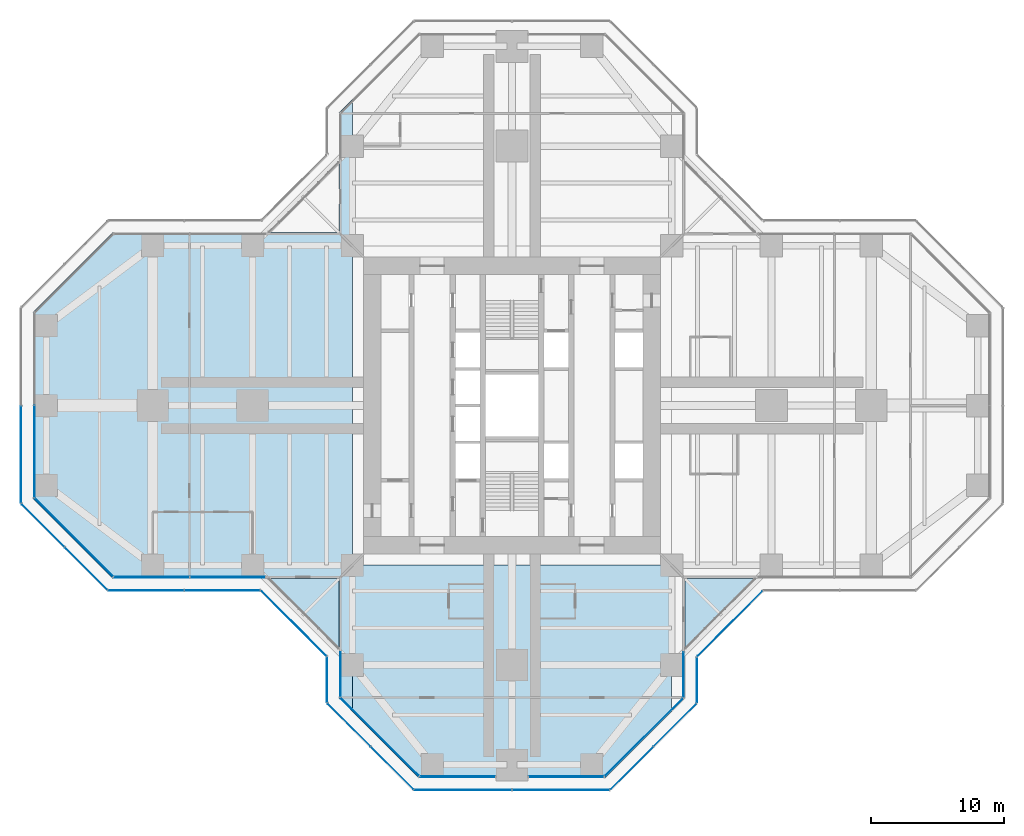
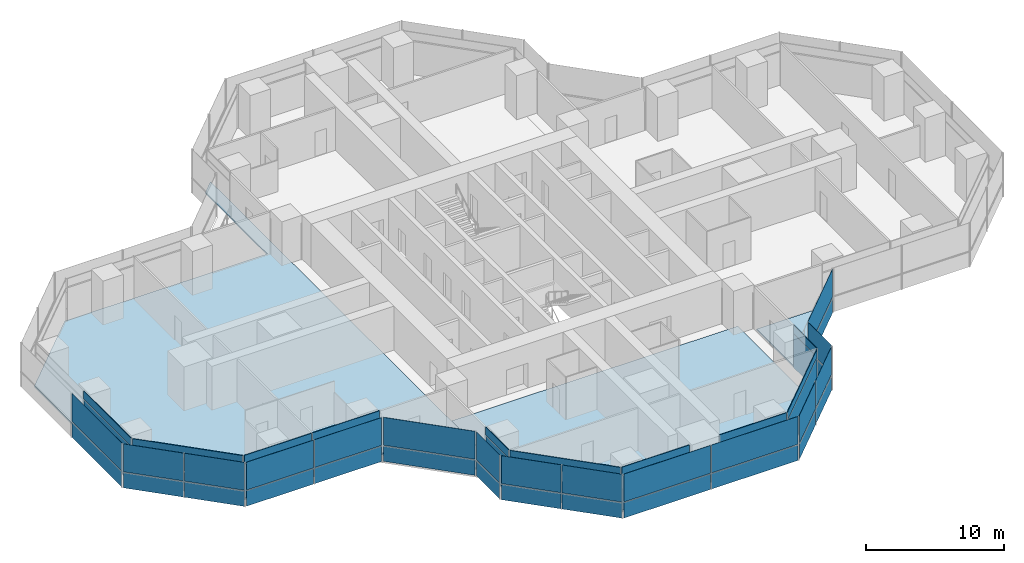
# One storey, part 12 of 19: 50 plates, 4 slabs, 19 elements without a shape of their own.
"""IFC4 building model written with IfcOpenShell, lengths in metres."""

from ifc_helpers import new_model, si_unit, direction, frame, origin, origin_2d, place, context, subcontext, project, spatial, polyline, rectangle, outline, extrude, material, layer, layer_set, type_object, element, aggregate, save


model = new_model("IFC4")

# Units and contexts
model_context = context("Model", 3, precision=1e-05, world=origin(), true_north=direction((0.0, 1.0)))
body_context = subcontext(model_context, "Body", "Model", "MODEL_VIEW")
ifc_project = project(units=[si_unit("LENGTHUNIT", "METRE"), si_unit("AREAUNIT", "SQUARE_METRE"), si_unit("VOLUMEUNIT", "CUBIC_METRE"), si_unit("PLANEANGLEUNIT", "RADIAN"), si_unit("MASSUNIT", "GRAM", prefix="KILO")], contexts=[model_context])

# Site, building, storey
site_placement = place(None, origin())
site = spatial("IfcSite", under=ifc_project, at=site_placement, CompositionType="ELEMENT")
building_placement = place(site_placement, origin())
building = spatial("IfcBuilding", under=site, at=building_placement, Name="Mizan Broadcast Tower", CompositionType="ELEMENT")
storey_placement = place(building_placement, frame((0.0, 0.0, 182.699951171875)))
storey = spatial("IfcBuildingStorey", under=building, at=storey_placement, Name="L42", CompositionType="ELEMENT", Elevation=182.699951171875)

# Slabs
ifc_material_1 = material(Name="Concrete C32/40", Category="concrete")
ifc_layer_1 = layer(ifc_material_1, 0.1298828125)
ifc_layer_set_1 = layer_set([ifc_layer_1], Name="Concrete C32/40")
slab_type_1 = type_object("IfcSlabType", Name="COMPOSITE DECK SLAB 130", PredefinedType="FLOOR", material=ifc_layer_set_1)
slab_1_placement = place(storey_placement, frame((0.0, 0.0, -0.1298828125)))
element("IfcSlab", 1, at=slab_1_placement, inside=storey, type_object=slab_type_1, Name="Floor slab L42 west arm", PredefinedType="FLOOR", context=body_context, shape_type="SweptSolid", body=[
    extrude(outline(polyline([(-13.0, -22.0), (-12.0, -23.0), (-12.0, 23.0), (-13.0, 22.0), (-13.0, 13.0), (-30.0, 13.0), (-36.0, 7.0), (-36.0, -7.0), (-30.0, -13.0), (-13.0, -13.0), (-13.0, -22.0)])), origin(), (0.0, 0.0, 1.0), 0.1298828125),
])
slab_2_placement = place(storey_placement, frame((0.0, 0.0, -0.1298828125)))
element("IfcSlab", 2, at=slab_2_placement, inside=storey, type_object=slab_type_1, Name="Floor slab L42 south arm", PredefinedType="FLOOR", context=body_context, shape_type="SweptSolid", body=[
    extrude(outline(polyline([(7.0, -28.0), (12.0, -23.0), (12.0, -12.0), (-12.0, -12.0), (-12.0, -23.0), (-7.0, -28.0), (7.0, -28.0)])), origin(), (0.0, 0.0, 1.0), 0.1298828125),
])

# Curtain wall, plate
ifc_material_2 = material(Name="Aluminium framed glazing", Category="aluminium")
curtain_wall_type_1 = type_object("IfcCurtainWallType", Name="INNER SKIN MID ZONE", PredefinedType="USERDEFINED", material=ifc_material_2)
curtain_wall_1_placement = place(storey_placement, origin())
curtain_wall_1 = element("IfcCurtainWall", 3, at=curtain_wall_1_placement, inside=storey, type_object=curtain_wall_type_1, Name="Inner skin mid zone L42 W end", ObjectType="INNER SKIN MID ZONE", PredefinedType="USERDEFINED")
ifc_material_3 = material(Name="Double glazing, clear low-e", Category="glass")
ifc_layer_2 = layer(ifc_material_3, 0.028076171875)
ifc_layer_set_2 = layer_set([ifc_layer_2], Name="Double glazing, clear low-e")
plate_type_1 = type_object("IfcPlateType", Name="INNER SKIN GLAZING UNIT", PredefinedType="CURTAIN_PANEL", material=ifc_layer_set_2)
plate_1_placement = place(storey_placement, frame((-35.89990234375, -3.46435546875, 0.0), z_axis=(0.0, 0.0, 1.0), x_axis=(0.0, -1.0, 0.0)))
plate_1 = element("IfcPlate", 4, at=plate_1_placement, type_object=plate_type_1, Name="Inner skin mid zone L42 W end panel 2.1", PredefinedType="CURTAIN_PANEL", context=body_context, shape_type="SweptSolid", body=[
    extrude(rectangle(XDim=6.86865234375, YDim=0.028076171875, at=origin_2d()), origin(), (0.0, 0.0, 1.0), 3.0),
])

curtain_wall_2_placement = place(storey_placement, origin())
curtain_wall_2 = element("IfcCurtainWall", 5, at=curtain_wall_2_placement, inside=storey, type_object=curtain_wall_type_1, Name="Inner skin mid zone L42 W chamfer", ObjectType="INNER SKIN MID ZONE", PredefinedType="USERDEFINED")
plate_2_placement = place(storey_placement, frame((-32.92919921875, -9.92919921875, 0.0), z_axis=(0.0, 0.0, 1.0), x_axis=(0.707106781187, -0.707106781187, 0.0)))
plate_2 = element("IfcPlate", 6, at=plate_2_placement, type_object=plate_type_1, Name="Inner skin mid zone L42 W chamfer panel 1.1", PredefinedType="CURTAIN_PANEL", context=body_context, shape_type="SweptSolid", body=[
    extrude(rectangle(XDim=8.282470703125, YDim=0.028076171875, at=origin_2d()), origin(), (0.0, 0.0, 1.0), 3.0),
])

# Curtain wall, plates
curtain_wall_3_placement = place(storey_placement, origin())
curtain_wall_3 = element("IfcCurtainWall", 7, at=curtain_wall_3_placement, inside=storey, type_object=curtain_wall_type_1, Name="Inner skin mid zone L42 W side", ObjectType="INNER SKIN MID ZONE", PredefinedType="USERDEFINED")
plate_3_placement = place(storey_placement, frame((-27.078857421875, -12.89990234375, 0.0), z_axis=(0.0, 0.0, 1.0), x_axis=(1.0, 0.0, 0.0)))
plate_3 = element("IfcPlate", 8, at=plate_3_placement, type_object=plate_type_1, Name="Inner skin mid zone L42 W side panel 1.1", PredefinedType="CURTAIN_PANEL", context=body_context, shape_type="SweptSolid", body=[
    extrude(rectangle(XDim=5.639404296875, YDim=0.028076171875, at=origin_2d()), origin(), (0.0, 0.0, 1.0), 3.0),
])
plate_4_placement = place(storey_placement, frame((-21.379638671875, -12.89990234375, 0.0), z_axis=(0.0, 0.0, 1.0), x_axis=(1.0, 0.0, 0.0)))
plate_4 = element("IfcPlate", 9, at=plate_4_placement, type_object=plate_type_1, Name="Inner skin mid zone L42 W side panel 2.1", PredefinedType="CURTAIN_PANEL", context=body_context, shape_type="SweptSolid", body=[
    extrude(rectangle(XDim=5.639404296875, YDim=0.028076171875, at=origin_2d()), origin(), (0.0, 0.0, 1.0), 3.0),
])

# Curtain wall, plate
curtain_wall_4_placement = place(storey_placement, origin())
curtain_wall_4 = element("IfcCurtainWall", 10, at=curtain_wall_4_placement, inside=storey, type_object=curtain_wall_type_1, Name="Inner skin mid zone L42 S side", ObjectType="INNER SKIN MID ZONE", PredefinedType="USERDEFINED")
plate_5_placement = place(storey_placement, frame((-12.89990234375, -20.229248046875, 0.0), z_axis=(0.0, 0.0, 1.0), x_axis=(0.0, -1.0, 0.0)))
plate_5 = element("IfcPlate", 11, at=plate_5_placement, type_object=plate_type_1, Name="Inner skin mid zone L42 S side panel 1.1", PredefinedType="CURTAIN_PANEL", context=body_context, shape_type="SweptSolid", body=[
    extrude(rectangle(XDim=3.338623046875, YDim=0.028076171875, at=origin_2d()), origin(), (0.0, 0.0, 1.0), 3.0),
])

curtain_wall_5_placement = place(storey_placement, origin())
curtain_wall_5 = element("IfcCurtainWall", 12, at=curtain_wall_5_placement, inside=storey, type_object=curtain_wall_type_1, Name="Inner skin mid zone L42 S chamfer", ObjectType="INNER SKIN MID ZONE", PredefinedType="USERDEFINED")
plate_6_placement = place(storey_placement, frame((-9.92919921875, -24.92919921875, 0.0), z_axis=(0.0, 0.0, 1.0), x_axis=(0.707106781187, -0.707106781187, 0.0)))
plate_6 = element("IfcPlate", 13, at=plate_6_placement, type_object=plate_type_1, Name="Inner skin mid zone L42 S chamfer panel 1.1", PredefinedType="CURTAIN_PANEL", context=body_context, shape_type="SweptSolid", body=[
    extrude(rectangle(XDim=8.282470703125, YDim=0.028076171875, at=origin_2d()), origin(), (0.0, 0.0, 1.0), 3.0),
])

curtain_wall_6_placement = place(storey_placement, origin())
curtain_wall_6 = element("IfcCurtainWall", 14, at=curtain_wall_6_placement, inside=storey, type_object=curtain_wall_type_1, Name="Inner skin mid zone L42 S end", ObjectType="INNER SKIN MID ZONE", PredefinedType="USERDEFINED")
plate_7_placement = place(storey_placement, frame((-4.079345703125, -27.89990234375, 0.0), z_axis=(0.0, 0.0, 1.0), x_axis=(1.0, 0.0, 0.0)))
plate_7 = element("IfcPlate", 15, at=plate_7_placement, type_object=plate_type_1, Name="Inner skin mid zone L42 S end panel 1.1", PredefinedType="CURTAIN_PANEL", context=body_context, shape_type="SweptSolid", body=[
    extrude(rectangle(XDim=5.638671875, YDim=0.028076171875, at=origin_2d()), origin(), (0.0, 0.0, 1.0), 3.0),
])

curtain_wall_7_placement = place(storey_placement, origin())
curtain_wall_7 = element("IfcCurtainWall", 16, at=curtain_wall_7_placement, inside=storey, type_object=curtain_wall_type_1, Name="Inner skin mid zone L42 S end", ObjectType="INNER SKIN MID ZONE", PredefinedType="USERDEFINED")
plate_8_placement = place(storey_placement, frame((4.079345703125, -27.89990234375, 0.0), z_axis=(0.0, 0.0, 1.0), x_axis=(1.0, 0.0, 0.0)))
plate_8 = element("IfcPlate", 17, at=plate_8_placement, type_object=plate_type_1, Name="Inner skin mid zone L42 S end panel 1.1", PredefinedType="CURTAIN_PANEL", context=body_context, shape_type="SweptSolid", body=[
    extrude(rectangle(XDim=5.638671875, YDim=0.028076171875, at=origin_2d()), origin(), (0.0, 0.0, 1.0), 3.0),
])

curtain_wall_8_placement = place(storey_placement, origin())
curtain_wall_8 = element("IfcCurtainWall", 18, at=curtain_wall_8_placement, inside=storey, type_object=curtain_wall_type_1, Name="Inner skin mid zone L42 S chamfer", ObjectType="INNER SKIN MID ZONE", PredefinedType="USERDEFINED")
plate_9_placement = place(storey_placement, frame((9.92919921875, -24.92919921875, 0.0), z_axis=(0.0, 0.0, 1.0), x_axis=(0.707106781187, 0.707106781187, 0.0)))
plate_9 = element("IfcPlate", 19, at=plate_9_placement, type_object=plate_type_1, Name="Inner skin mid zone L42 S chamfer panel 1.1", PredefinedType="CURTAIN_PANEL", context=body_context, shape_type="SweptSolid", body=[
    extrude(rectangle(XDim=8.282470703125, YDim=0.028076171875, at=origin_2d()), origin(), (0.0, 0.0, 1.0), 3.0),
])

curtain_wall_9_placement = place(storey_placement, origin())
curtain_wall_9 = element("IfcCurtainWall", 20, at=curtain_wall_9_placement, inside=storey, type_object=curtain_wall_type_1, Name="Inner skin mid zone L42 S side", ObjectType="INNER SKIN MID ZONE", PredefinedType="USERDEFINED")
plate_10_placement = place(storey_placement, frame((12.89990234375, -20.229248046875, 0.0), z_axis=(0.0, 0.0, 1.0), x_axis=(0.0, 1.0, 0.0)))
plate_10 = element("IfcPlate", 21, at=plate_10_placement, type_object=plate_type_1, Name="Inner skin mid zone L42 S side panel 1.1", PredefinedType="CURTAIN_PANEL", context=body_context, shape_type="SweptSolid", body=[
    extrude(rectangle(XDim=3.338623046875, YDim=0.028076171875, at=origin_2d()), origin(), (0.0, 0.0, 1.0), 3.0),
])

# Plate
ifc_material_4 = material(Name="Insulated aluminium spandrel panel, pale anodised", Category="aluminium")
ifc_layer_3 = layer(ifc_material_4, 0.050048828125)
ifc_layer_set_3 = layer_set([ifc_layer_3], Name="Insulated aluminium spandrel panel, pale anodised")
plate_type_2 = type_object("IfcPlateType", Name="INNER SKIN SPANDREL PANEL", PredefinedType="CURTAIN_PANEL", material=ifc_layer_set_3)
plate_11_placement = place(storey_placement, frame((-35.89990234375, -3.46435546875, 3.06005859375), z_axis=(0.0, 0.0, 1.0), x_axis=(0.0, -1.0, 0.0)))
plate_11 = element("IfcPlate", 22, at=plate_11_placement, type_object=plate_type_2, Name="Inner skin mid zone L42 W end panel 2.2", PredefinedType="CURTAIN_PANEL", context=body_context, shape_type="SweptSolid", body=[
    extrude(rectangle(XDim=6.86865234375, YDim=0.050048828125, at=origin_2d()), origin(), (0.0, 0.0, 1.0), 0.7099609375),
])

aggregate(curtain_wall_1, [plate_1, plate_11])

plate_12_placement = place(storey_placement, frame((-32.92919921875, -9.92919921875, 3.06005859375), z_axis=(0.0, 0.0, 1.0), x_axis=(0.707106781187, -0.707106781187, 0.0)))
plate_12 = element("IfcPlate", 23, at=plate_12_placement, type_object=plate_type_2, Name="Inner skin mid zone L42 W chamfer panel 1.2", PredefinedType="CURTAIN_PANEL", context=body_context, shape_type="SweptSolid", body=[
    extrude(rectangle(XDim=8.282470703125, YDim=0.050048828125, at=origin_2d()), origin(), (0.0, 0.0, 1.0), 0.7099609375),
])

aggregate(curtain_wall_2, [plate_2, plate_12])

plate_13_placement = place(storey_placement, frame((-27.078857421875, -12.89990234375, 3.06005859375), z_axis=(0.0, 0.0, 1.0), x_axis=(1.0, 0.0, 0.0)))
plate_13 = element("IfcPlate", 24, at=plate_13_placement, type_object=plate_type_2, Name="Inner skin mid zone L42 W side panel 1.2", PredefinedType="CURTAIN_PANEL", context=body_context, shape_type="SweptSolid", body=[
    extrude(rectangle(XDim=5.639404296875, YDim=0.050048828125, at=origin_2d()), origin(), (0.0, 0.0, 1.0), 0.7099609375),
])

plate_14_placement = place(storey_placement, frame((-21.379638671875, -12.89990234375, 3.06005859375), z_axis=(0.0, 0.0, 1.0), x_axis=(1.0, 0.0, 0.0)))
plate_14 = element("IfcPlate", 25, at=plate_14_placement, type_object=plate_type_2, Name="Inner skin mid zone L42 W side panel 2.2", PredefinedType="CURTAIN_PANEL", context=body_context, shape_type="SweptSolid", body=[
    extrude(rectangle(XDim=5.639404296875, YDim=0.050048828125, at=origin_2d()), origin(), (0.0, 0.0, 1.0), 0.7099609375),
])

aggregate(curtain_wall_3, [plate_3, plate_13, plate_4, plate_14])

plate_15_placement = place(storey_placement, frame((-12.89990234375, -20.229248046875, 3.06005859375), z_axis=(0.0, 0.0, 1.0), x_axis=(0.0, -1.0, 0.0)))
plate_15 = element("IfcPlate", 26, at=plate_15_placement, type_object=plate_type_2, Name="Inner skin mid zone L42 S side panel 1.2", PredefinedType="CURTAIN_PANEL", context=body_context, shape_type="SweptSolid", body=[
    extrude(rectangle(XDim=3.338623046875, YDim=0.050048828125, at=origin_2d()), origin(), (0.0, 0.0, 1.0), 0.7099609375),
])

aggregate(curtain_wall_4, [plate_5, plate_15])

plate_16_placement = place(storey_placement, frame((-9.92919921875, -24.92919921875, 3.06005859375), z_axis=(0.0, 0.0, 1.0), x_axis=(0.707106781187, -0.707106781187, 0.0)))
plate_16 = element("IfcPlate", 27, at=plate_16_placement, type_object=plate_type_2, Name="Inner skin mid zone L42 S chamfer panel 1.2", PredefinedType="CURTAIN_PANEL", context=body_context, shape_type="SweptSolid", body=[
    extrude(rectangle(XDim=8.282470703125, YDim=0.050048828125, at=origin_2d()), origin(), (0.0, 0.0, 1.0), 0.7099609375),
])

aggregate(curtain_wall_5, [plate_6, plate_16])

plate_17_placement = place(storey_placement, frame((-4.079345703125, -27.89990234375, 3.06005859375), z_axis=(0.0, 0.0, 1.0), x_axis=(1.0, 0.0, 0.0)))
plate_17 = element("IfcPlate", 28, at=plate_17_placement, type_object=plate_type_2, Name="Inner skin mid zone L42 S end panel 1.2", PredefinedType="CURTAIN_PANEL", context=body_context, shape_type="SweptSolid", body=[
    extrude(rectangle(XDim=5.638671875, YDim=0.050048828125, at=origin_2d()), origin(), (0.0, 0.0, 1.0), 0.7099609375),
])

aggregate(curtain_wall_6, [plate_7, plate_17])

plate_18_placement = place(storey_placement, frame((4.079345703125, -27.89990234375, 3.06005859375), z_axis=(0.0, 0.0, 1.0), x_axis=(1.0, 0.0, 0.0)))
plate_18 = element("IfcPlate", 29, at=plate_18_placement, type_object=plate_type_2, Name="Inner skin mid zone L42 S end panel 1.2", PredefinedType="CURTAIN_PANEL", context=body_context, shape_type="SweptSolid", body=[
    extrude(rectangle(XDim=5.638671875, YDim=0.050048828125, at=origin_2d()), origin(), (0.0, 0.0, 1.0), 0.7099609375),
])

aggregate(curtain_wall_7, [plate_8, plate_18])

plate_19_placement = place(storey_placement, frame((9.92919921875, -24.92919921875, 3.06005859375), z_axis=(0.0, 0.0, 1.0), x_axis=(0.707106781187, 0.707106781187, 0.0)))
plate_19 = element("IfcPlate", 30, at=plate_19_placement, type_object=plate_type_2, Name="Inner skin mid zone L42 S chamfer panel 1.2", PredefinedType="CURTAIN_PANEL", context=body_context, shape_type="SweptSolid", body=[
    extrude(rectangle(XDim=8.282470703125, YDim=0.050048828125, at=origin_2d()), origin(), (0.0, 0.0, 1.0), 0.7099609375),
])

aggregate(curtain_wall_8, [plate_9, plate_19])

plate_20_placement = place(storey_placement, frame((12.89990234375, -20.229248046875, 3.06005859375), z_axis=(0.0, 0.0, 1.0), x_axis=(0.0, 1.0, 0.0)))
plate_20 = element("IfcPlate", 31, at=plate_20_placement, type_object=plate_type_2, Name="Inner skin mid zone L42 S side panel 1.2", PredefinedType="CURTAIN_PANEL", context=body_context, shape_type="SweptSolid", body=[
    extrude(rectangle(XDim=3.338623046875, YDim=0.050048828125, at=origin_2d()), origin(), (0.0, 0.0, 1.0), 0.7099609375),
])

aggregate(curtain_wall_9, [plate_10, plate_20])

# Curtain wall, plates
ifc_material_5 = material(Name="Aluminium framed glazing", Category="aluminium")
curtain_wall_type_2 = type_object("IfcCurtainWallType", Name="OUTER SKIN", PredefinedType="USERDEFINED", material=ifc_material_5)
curtain_wall_10_placement = place(storey_placement, origin())
curtain_wall_10 = element("IfcCurtainWall", 32, at=curtain_wall_10_placement, inside=storey, type_object=curtain_wall_type_2, Name="Outer skin L42 W chamfer", ObjectType="OUTER SKIN", PredefinedType="USERDEFINED")
ifc_material_6 = material(Name="Laminated clear glass", Category="glass")
ifc_layer_4 = layer(ifc_material_6, 0.02001953125)
ifc_layer_set_4 = layer_set([ifc_layer_4], Name="Laminated clear glass")
plate_type_3 = type_object("IfcPlateType", Name="OUTER SKIN CLEAR GLASS", PredefinedType="CURTAIN_PANEL", material=ifc_layer_set_4)
plate_21_placement = place(storey_placement, frame((-35.254150390625, -9.018798828125, 0.0), z_axis=(0.0, 0.0, 1.0), x_axis=(0.707106781187, -0.707106781187, 0.0)))
plate_21 = element("IfcPlate", 33, at=plate_21_placement, type_object=plate_type_3, Name="Outer skin L42 W chamfer panel 1.1", PredefinedType="CURTAIN_PANEL", context=body_context, shape_type="SweptSolid", body=[
    extrude(rectangle(XDim=4.495361328125, YDim=0.02001953125, at=origin_2d()), origin(), (0.0, 0.0, 1.0), 1.3701171875),
])
plate_22_placement = place(storey_placement, frame((-35.254150390625, -9.018798828125, 1.43017578125), z_axis=(0.0, 0.0, 1.0), x_axis=(0.707106781187, -0.707106781187, 0.0)))
plate_22 = element("IfcPlate", 34, at=plate_22_placement, type_object=plate_type_3, Name="Outer skin L42 W chamfer panel 1.2", PredefinedType="CURTAIN_PANEL", context=body_context, shape_type="SweptSolid", body=[
    extrude(rectangle(XDim=4.495361328125, YDim=0.02001953125, at=origin_2d()), origin(), (0.0, 0.0, 1.0), 2.469970703125),
])

curtain_wall_11_placement = place(storey_placement, origin())
curtain_wall_11 = element("IfcCurtainWall", 35, at=curtain_wall_11_placement, inside=storey, type_object=curtain_wall_type_2, Name="Outer skin L42 W side", ObjectType="OUTER SKIN", PredefinedType="USERDEFINED")
plate_23_placement = place(storey_placement, frame((-27.477783203125, -13.89990234375, 0.0), z_axis=(0.0, 0.0, 1.0), x_axis=(1.0, 0.0, 0.0)))
plate_23 = element("IfcPlate", 36, at=plate_23_placement, type_object=plate_type_3, Name="Outer skin L42 W side panel 1.1", PredefinedType="CURTAIN_PANEL", context=body_context, shape_type="SweptSolid", body=[
    extrude(rectangle(XDim=5.6298828125, YDim=0.02001953125, at=origin_2d()), origin(), (0.0, 0.0, 1.0), 1.3701171875),
])
plate_24_placement = place(storey_placement, frame((-27.477783203125, -13.89990234375, 1.43017578125), z_axis=(0.0, 0.0, 1.0), x_axis=(1.0, 0.0, 0.0)))
plate_24 = element("IfcPlate", 37, at=plate_24_placement, type_object=plate_type_3, Name="Outer skin L42 W side panel 1.2", PredefinedType="CURTAIN_PANEL", context=body_context, shape_type="SweptSolid", body=[
    extrude(rectangle(XDim=5.6298828125, YDim=0.02001953125, at=origin_2d()), origin(), (0.0, 0.0, 1.0), 2.469970703125),
])

curtain_wall_12_placement = place(storey_placement, origin())
curtain_wall_12 = element("IfcCurtainWall", 38, at=curtain_wall_12_placement, inside=storey, type_object=curtain_wall_type_2, Name="Outer skin L42 W chamfer", ObjectType="OUTER SKIN", PredefinedType="USERDEFINED")
plate_25_placement = place(storey_placement, frame((-16.386474609375, -16.386474609375, 0.0), z_axis=(0.0, 0.0, 1.0), x_axis=(0.707106781187, -0.707106781187, 0.0)))
plate_25 = element("IfcPlate", 39, at=plate_25_placement, type_object=plate_type_3, Name="Outer skin L42 W chamfer panel 1.1", PredefinedType="CURTAIN_PANEL", context=body_context, shape_type="SweptSolid", body=[
    extrude(rectangle(XDim=6.87255859375, YDim=0.02001953125, at=origin_2d()), origin(), (0.0, 0.0, 1.0), 1.3701171875),
])
plate_26_placement = place(storey_placement, frame((-16.386474609375, -16.386474609375, 1.43017578125), z_axis=(0.0, 0.0, 1.0), x_axis=(0.707106781187, -0.707106781187, 0.0)))
plate_26 = element("IfcPlate", 40, at=plate_26_placement, type_object=plate_type_3, Name="Outer skin L42 W chamfer panel 1.2", PredefinedType="CURTAIN_PANEL", context=body_context, shape_type="SweptSolid", body=[
    extrude(rectangle(XDim=6.87255859375, YDim=0.02001953125, at=origin_2d()), origin(), (0.0, 0.0, 1.0), 2.469970703125),
])
aggregate(curtain_wall_12, [plate_25, plate_26])

curtain_wall_13_placement = place(storey_placement, origin())
curtain_wall_13 = element("IfcCurtainWall", 41, at=curtain_wall_13_placement, inside=storey, type_object=curtain_wall_type_2, Name="Outer skin L42 S side", ObjectType="OUTER SKIN", PredefinedType="USERDEFINED")
plate_27_placement = place(storey_placement, frame((-13.89990234375, -20.622802734375, 0.0), z_axis=(0.0, 0.0, 1.0), x_axis=(0.0, -1.0, 0.0)))
plate_27 = element("IfcPlate", 42, at=plate_27_placement, type_object=plate_type_3, Name="Outer skin L42 S side panel 1.1", PredefinedType="CURTAIN_PANEL", context=body_context, shape_type="SweptSolid", body=[
    extrude(rectangle(XDim=3.340087890625, YDim=0.02001953125, at=origin_2d()), origin(), (0.0, 0.0, 1.0), 1.3701171875),
])
plate_28_placement = place(storey_placement, frame((-13.89990234375, -20.622802734375, 1.43017578125), z_axis=(0.0, 0.0, 1.0), x_axis=(0.0, -1.0, 0.0)))
plate_28 = element("IfcPlate", 43, at=plate_28_placement, type_object=plate_type_3, Name="Outer skin L42 S side panel 1.2", PredefinedType="CURTAIN_PANEL", context=body_context, shape_type="SweptSolid", body=[
    extrude(rectangle(XDim=3.340087890625, YDim=0.02001953125, at=origin_2d()), origin(), (0.0, 0.0, 1.0), 2.469970703125),
])
aggregate(curtain_wall_13, [plate_27, plate_28])

curtain_wall_14_placement = place(storey_placement, origin())
curtain_wall_14 = element("IfcCurtainWall", 44, at=curtain_wall_14_placement, inside=storey, type_object=curtain_wall_type_2, Name="Outer skin L42 S chamfer", ObjectType="OUTER SKIN", PredefinedType="USERDEFINED")
plate_29_placement = place(storey_placement, frame((-12.254150390625, -24.018798828125, 0.0), z_axis=(0.0, 0.0, 1.0), x_axis=(0.707106781187, -0.707106781187, 0.0)))
plate_29 = element("IfcPlate", 45, at=plate_29_placement, type_object=plate_type_3, Name="Outer skin L42 S chamfer panel 1.1", PredefinedType="CURTAIN_PANEL", context=body_context, shape_type="SweptSolid", body=[
    extrude(rectangle(XDim=4.495361328125, YDim=0.02001953125, at=origin_2d()), origin(), (0.0, 0.0, 1.0), 1.3701171875),
])
plate_30_placement = place(storey_placement, frame((-12.254150390625, -24.018798828125, 1.43017578125), z_axis=(0.0, 0.0, 1.0), x_axis=(0.707106781187, -0.707106781187, 0.0)))
plate_30 = element("IfcPlate", 46, at=plate_30_placement, type_object=plate_type_3, Name="Outer skin L42 S chamfer panel 1.2", PredefinedType="CURTAIN_PANEL", context=body_context, shape_type="SweptSolid", body=[
    extrude(rectangle(XDim=4.495361328125, YDim=0.02001953125, at=origin_2d()), origin(), (0.0, 0.0, 1.0), 2.469970703125),
])

curtain_wall_15_placement = place(storey_placement, origin())
curtain_wall_15 = element("IfcCurtainWall", 47, at=curtain_wall_15_placement, inside=storey, type_object=curtain_wall_type_2, Name="Outer skin L42 S end", ObjectType="OUTER SKIN", PredefinedType="USERDEFINED")
plate_31_placement = place(storey_placement, frame((-3.66650390625, -28.89990234375, 0.0), z_axis=(0.0, 0.0, 1.0), x_axis=(1.0, 0.0, 0.0)))
plate_31 = element("IfcPlate", 48, at=plate_31_placement, type_object=plate_type_3, Name="Outer skin L42 S end panel 1.1", PredefinedType="CURTAIN_PANEL", context=body_context, shape_type="SweptSolid", body=[
    extrude(rectangle(XDim=7.252685546875, YDim=0.02001953125, at=origin_2d()), origin(), (0.0, 0.0, 1.0), 1.3701171875),
])
plate_32_placement = place(storey_placement, frame((-3.66650390625, -28.89990234375, 1.43017578125), z_axis=(0.0, 0.0, 1.0), x_axis=(1.0, 0.0, 0.0)))
plate_32 = element("IfcPlate", 49, at=plate_32_placement, type_object=plate_type_3, Name="Outer skin L42 S end panel 1.2", PredefinedType="CURTAIN_PANEL", context=body_context, shape_type="SweptSolid", body=[
    extrude(rectangle(XDim=7.252685546875, YDim=0.02001953125, at=origin_2d()), origin(), (0.0, 0.0, 1.0), 2.469970703125),
])

curtain_wall_16_placement = place(storey_placement, origin())
curtain_wall_16 = element("IfcCurtainWall", 50, at=curtain_wall_16_placement, inside=storey, type_object=curtain_wall_type_2, Name="Outer skin L42 S chamfer", ObjectType="OUTER SKIN", PredefinedType="USERDEFINED")
plate_33_placement = place(storey_placement, frame((9.018798828125, -27.254150390625, 0.0), z_axis=(0.0, 0.0, 1.0), x_axis=(0.707106781187, 0.707106781187, 0.0)))
plate_33 = element("IfcPlate", 51, at=plate_33_placement, type_object=plate_type_3, Name="Outer skin L42 S chamfer panel 1.1", PredefinedType="CURTAIN_PANEL", context=body_context, shape_type="SweptSolid", body=[
    extrude(rectangle(XDim=4.495361328125, YDim=0.02001953125, at=origin_2d()), origin(), (0.0, 0.0, 1.0), 1.3701171875),
])
plate_34_placement = place(storey_placement, frame((9.018798828125, -27.254150390625, 1.43017578125), z_axis=(0.0, 0.0, 1.0), x_axis=(0.707106781187, 0.707106781187, 0.0)))
plate_34 = element("IfcPlate", 52, at=plate_34_placement, type_object=plate_type_3, Name="Outer skin L42 S chamfer panel 1.2", PredefinedType="CURTAIN_PANEL", context=body_context, shape_type="SweptSolid", body=[
    extrude(rectangle(XDim=4.495361328125, YDim=0.02001953125, at=origin_2d()), origin(), (0.0, 0.0, 1.0), 2.469970703125),
])

curtain_wall_17_placement = place(storey_placement, origin())
curtain_wall_17 = element("IfcCurtainWall", 53, at=curtain_wall_17_placement, inside=storey, type_object=curtain_wall_type_2, Name="Outer skin L42 S side", ObjectType="OUTER SKIN", PredefinedType="USERDEFINED")
plate_35_placement = place(storey_placement, frame((13.89990234375, -20.622802734375, 0.0), z_axis=(0.0, 0.0, 1.0), x_axis=(0.0, 1.0, 0.0)))
plate_35 = element("IfcPlate", 54, at=plate_35_placement, type_object=plate_type_3, Name="Outer skin L42 S side panel 1.1", PredefinedType="CURTAIN_PANEL", context=body_context, shape_type="SweptSolid", body=[
    extrude(rectangle(XDim=3.340087890625, YDim=0.02001953125, at=origin_2d()), origin(), (0.0, 0.0, 1.0), 1.3701171875),
])
plate_36_placement = place(storey_placement, frame((13.89990234375, -20.622802734375, 1.43017578125), z_axis=(0.0, 0.0, 1.0), x_axis=(0.0, 1.0, 0.0)))
plate_36 = element("IfcPlate", 55, at=plate_36_placement, type_object=plate_type_3, Name="Outer skin L42 S side panel 1.2", PredefinedType="CURTAIN_PANEL", context=body_context, shape_type="SweptSolid", body=[
    extrude(rectangle(XDim=3.340087890625, YDim=0.02001953125, at=origin_2d()), origin(), (0.0, 0.0, 1.0), 2.469970703125),
])
aggregate(curtain_wall_17, [plate_35, plate_36])

curtain_wall_18_placement = place(storey_placement, origin())
curtain_wall_18 = element("IfcCurtainWall", 56, at=curtain_wall_18_placement, inside=storey, type_object=curtain_wall_type_2, Name="Outer skin L42 E chamfer", ObjectType="OUTER SKIN", PredefinedType="USERDEFINED")
plate_37_placement = place(storey_placement, frame((16.386474609375, -16.386474609375, 0.0), z_axis=(0.0, 0.0, 1.0), x_axis=(0.707106781187, 0.707106781187, 0.0)))
plate_37 = element("IfcPlate", 57, at=plate_37_placement, type_object=plate_type_3, Name="Outer skin L42 E chamfer panel 1.1", PredefinedType="CURTAIN_PANEL", context=body_context, shape_type="SweptSolid", body=[
    extrude(rectangle(XDim=6.87255859375, YDim=0.02001953125, at=origin_2d()), origin(), (0.0, 0.0, 1.0), 1.3701171875),
])
plate_38_placement = place(storey_placement, frame((16.386474609375, -16.386474609375, 1.43017578125), z_axis=(0.0, 0.0, 1.0), x_axis=(0.707106781187, 0.707106781187, 0.0)))
plate_38 = element("IfcPlate", 58, at=plate_38_placement, type_object=plate_type_3, Name="Outer skin L42 E chamfer panel 1.2", PredefinedType="CURTAIN_PANEL", context=body_context, shape_type="SweptSolid", body=[
    extrude(rectangle(XDim=6.87255859375, YDim=0.02001953125, at=origin_2d()), origin(), (0.0, 0.0, 1.0), 2.469970703125),
])
aggregate(curtain_wall_18, [plate_37, plate_38])

curtain_wall_19_placement = place(storey_placement, origin())
curtain_wall_19 = element("IfcCurtainWall", 59, at=curtain_wall_19_placement, inside=storey, type_object=curtain_wall_type_2, Name="Outer skin L42 W end", ObjectType="OUTER SKIN", PredefinedType="USERDEFINED")
ifc_material_7 = material(Name="Perforated aluminium, pale anodised", Category="aluminium")
ifc_layer_5 = layer(ifc_material_7, 0.011962890625)
ifc_layer_set_5 = layer_set([ifc_layer_5], Name="Perforated aluminium, pale anodised")
plate_type_4 = type_object("IfcPlateType", Name="OUTER SKIN PERFORATED SCREEN", PredefinedType="USERDEFINED", material=ifc_layer_set_5)
plate_39_placement = place(storey_placement, frame((-36.89990234375, -3.66650390625, 0.0), z_axis=(0.0, 0.0, 1.0), x_axis=(0.0, -1.0, 0.0)))
plate_39 = element("IfcPlate", 60, at=plate_39_placement, type_object=plate_type_4, Name="Outer skin L42 W end panel 2.1", ObjectType="SCREEN", PredefinedType="USERDEFINED", context=body_context, shape_type="SweptSolid", body=[
    extrude(rectangle(XDim=7.252685546875, YDim=0.011962890625, at=origin_2d()), origin(), (0.0, 0.0, 1.0), 1.3701171875),
])
plate_40_placement = place(storey_placement, frame((-36.89990234375, -3.66650390625, 1.43017578125), z_axis=(0.0, 0.0, 1.0), x_axis=(0.0, -1.0, 0.0)))
plate_40 = element("IfcPlate", 61, at=plate_40_placement, type_object=plate_type_4, Name="Outer skin L42 W end panel 2.2", ObjectType="SCREEN", PredefinedType="USERDEFINED", context=body_context, shape_type="SweptSolid", body=[
    extrude(rectangle(XDim=7.252685546875, YDim=0.011962890625, at=origin_2d()), origin(), (0.0, 0.0, 1.0), 2.469970703125),
])
aggregate(curtain_wall_19, [plate_39, plate_40])

# Plate
plate_41_placement = place(storey_placement, frame((-32.018798828125, -12.254150390625, 0.0), z_axis=(0.0, 0.0, 1.0), x_axis=(0.707106781187, -0.707106781187, 0.0)))
plate_41 = element("IfcPlate", 62, at=plate_41_placement, type_object=plate_type_4, Name="Outer skin L42 W chamfer panel 2.1", ObjectType="SCREEN", PredefinedType="USERDEFINED", context=body_context, shape_type="SweptSolid", body=[
    extrude(rectangle(XDim=4.495361328125, YDim=0.011962890625, at=origin_2d()), origin(), (0.0, 0.0, 1.0), 1.3701171875),
])

plate_42_placement = place(storey_placement, frame((-32.018798828125, -12.254150390625, 1.43017578125), z_axis=(0.0, 0.0, 1.0), x_axis=(0.707106781187, -0.707106781187, 0.0)))
plate_42 = element("IfcPlate", 63, at=plate_42_placement, type_object=plate_type_4, Name="Outer skin L42 W chamfer panel 2.2", ObjectType="SCREEN", PredefinedType="USERDEFINED", context=body_context, shape_type="SweptSolid", body=[
    extrude(rectangle(XDim=4.495361328125, YDim=0.011962890625, at=origin_2d()), origin(), (0.0, 0.0, 1.0), 2.469970703125),
])

aggregate(curtain_wall_10, [plate_21, plate_22, plate_41, plate_42])

plate_43_placement = place(storey_placement, frame((-21.767822265625, -13.89990234375, 0.0), z_axis=(0.0, 0.0, 1.0), x_axis=(1.0, 0.0, 0.0)))
plate_43 = element("IfcPlate", 64, at=plate_43_placement, type_object=plate_type_4, Name="Outer skin L42 W side panel 2.1", ObjectType="SCREEN", PredefinedType="USERDEFINED", context=body_context, shape_type="SweptSolid", body=[
    extrude(rectangle(XDim=5.6298828125, YDim=0.011962890625, at=origin_2d()), origin(), (0.0, 0.0, 1.0), 1.3701171875),
])

plate_44_placement = place(storey_placement, frame((-21.767822265625, -13.89990234375, 1.43017578125), z_axis=(0.0, 0.0, 1.0), x_axis=(1.0, 0.0, 0.0)))
plate_44 = element("IfcPlate", 65, at=plate_44_placement, type_object=plate_type_4, Name="Outer skin L42 W side panel 2.2", ObjectType="SCREEN", PredefinedType="USERDEFINED", context=body_context, shape_type="SweptSolid", body=[
    extrude(rectangle(XDim=5.6298828125, YDim=0.011962890625, at=origin_2d()), origin(), (0.0, 0.0, 1.0), 2.469970703125),
])

aggregate(curtain_wall_11, [plate_23, plate_24, plate_43, plate_44])

plate_45_placement = place(storey_placement, frame((-9.018798828125, -27.254150390625, 0.0), z_axis=(0.0, 0.0, 1.0), x_axis=(0.707106781187, -0.707106781187, 0.0)))
plate_45 = element("IfcPlate", 66, at=plate_45_placement, type_object=plate_type_4, Name="Outer skin L42 S chamfer panel 2.1", ObjectType="SCREEN", PredefinedType="USERDEFINED", context=body_context, shape_type="SweptSolid", body=[
    extrude(rectangle(XDim=4.495361328125, YDim=0.011962890625, at=origin_2d()), origin(), (0.0, 0.0, 1.0), 1.3701171875),
])

plate_46_placement = place(storey_placement, frame((-9.018798828125, -27.254150390625, 1.43017578125), z_axis=(0.0, 0.0, 1.0), x_axis=(0.707106781187, -0.707106781187, 0.0)))
plate_46 = element("IfcPlate", 67, at=plate_46_placement, type_object=plate_type_4, Name="Outer skin L42 S chamfer panel 2.2", ObjectType="SCREEN", PredefinedType="USERDEFINED", context=body_context, shape_type="SweptSolid", body=[
    extrude(rectangle(XDim=4.495361328125, YDim=0.011962890625, at=origin_2d()), origin(), (0.0, 0.0, 1.0), 2.469970703125),
])

aggregate(curtain_wall_14, [plate_29, plate_30, plate_45, plate_46])

plate_47_placement = place(storey_placement, frame((3.66650390625, -28.89990234375, 0.0), z_axis=(0.0, 0.0, 1.0), x_axis=(1.0, 0.0, 0.0)))
plate_47 = element("IfcPlate", 68, at=plate_47_placement, type_object=plate_type_4, Name="Outer skin L42 S end panel 2.1", ObjectType="SCREEN", PredefinedType="USERDEFINED", context=body_context, shape_type="SweptSolid", body=[
    extrude(rectangle(XDim=7.252685546875, YDim=0.011962890625, at=origin_2d()), origin(), (0.0, 0.0, 1.0), 1.3701171875),
])

plate_48_placement = place(storey_placement, frame((3.66650390625, -28.89990234375, 1.43017578125), z_axis=(0.0, 0.0, 1.0), x_axis=(1.0, 0.0, 0.0)))
plate_48 = element("IfcPlate", 69, at=plate_48_placement, type_object=plate_type_4, Name="Outer skin L42 S end panel 2.2", ObjectType="SCREEN", PredefinedType="USERDEFINED", context=body_context, shape_type="SweptSolid", body=[
    extrude(rectangle(XDim=7.252685546875, YDim=0.011962890625, at=origin_2d()), origin(), (0.0, 0.0, 1.0), 2.469970703125),
])

aggregate(curtain_wall_15, [plate_31, plate_32, plate_47, plate_48])

plate_49_placement = place(storey_placement, frame((12.254150390625, -24.018798828125, 0.0), z_axis=(0.0, 0.0, 1.0), x_axis=(0.707106781187, 0.707106781187, 0.0)))
plate_49 = element("IfcPlate", 70, at=plate_49_placement, type_object=plate_type_4, Name="Outer skin L42 S chamfer panel 2.1", ObjectType="SCREEN", PredefinedType="USERDEFINED", context=body_context, shape_type="SweptSolid", body=[
    extrude(rectangle(XDim=4.495361328125, YDim=0.011962890625, at=origin_2d()), origin(), (0.0, 0.0, 1.0), 1.3701171875),
])

plate_50_placement = place(storey_placement, frame((12.254150390625, -24.018798828125, 1.43017578125), z_axis=(0.0, 0.0, 1.0), x_axis=(0.707106781187, 0.707106781187, 0.0)))
plate_50 = element("IfcPlate", 71, at=plate_50_placement, type_object=plate_type_4, Name="Outer skin L42 S chamfer panel 2.2", ObjectType="SCREEN", PredefinedType="USERDEFINED", context=body_context, shape_type="SweptSolid", body=[
    extrude(rectangle(XDim=4.495361328125, YDim=0.011962890625, at=origin_2d()), origin(), (0.0, 0.0, 1.0), 2.469970703125),
])

aggregate(curtain_wall_16, [plate_33, plate_34, plate_49, plate_50])

# Slabs
ifc_material_8 = material(Name="Concrete C32/40", Category="concrete")
ifc_layer_6 = layer(ifc_material_8, 0.1298828125)
ifc_layer_set_6 = layer_set([ifc_layer_6], Name="Concrete C32/40")
slab_type_2 = type_object("IfcSlabType", Name="WINTER GARDEN SLAB 130", PredefinedType="FLOOR", material=ifc_layer_set_6)
slab_3_placement = place(storey_placement, frame((0.0, 0.0, -0.1298828125)))
element("IfcSlab", 72, at=slab_3_placement, inside=storey, type_object=slab_type_2, Name="Winter garden slab L42 W", PredefinedType="FLOOR", context=body_context, shape_type="SweptSolid", body=[
    extrude(outline(polyline([(-13.0, -13.0), (-18.5, -13.0), (-13.0, -18.5), (-13.0, -13.0)])), origin(), (0.0, 0.0, 1.0), 0.1298828125),
])
slab_4_placement = place(storey_placement, frame((0.0, 0.0, -0.1298828125)))
element("IfcSlab", 73, at=slab_4_placement, inside=storey, type_object=slab_type_2, Name="Winter garden slab L42 S", PredefinedType="FLOOR", context=body_context, shape_type="SweptSolid", body=[
    extrude(outline(polyline([(13.0, -13.0), (13.0, -18.5), (18.5, -13.0), (13.0, -13.0)])), origin(), (0.0, 0.0, 1.0), 0.1298828125),
])

save(model, "model.ifc")
